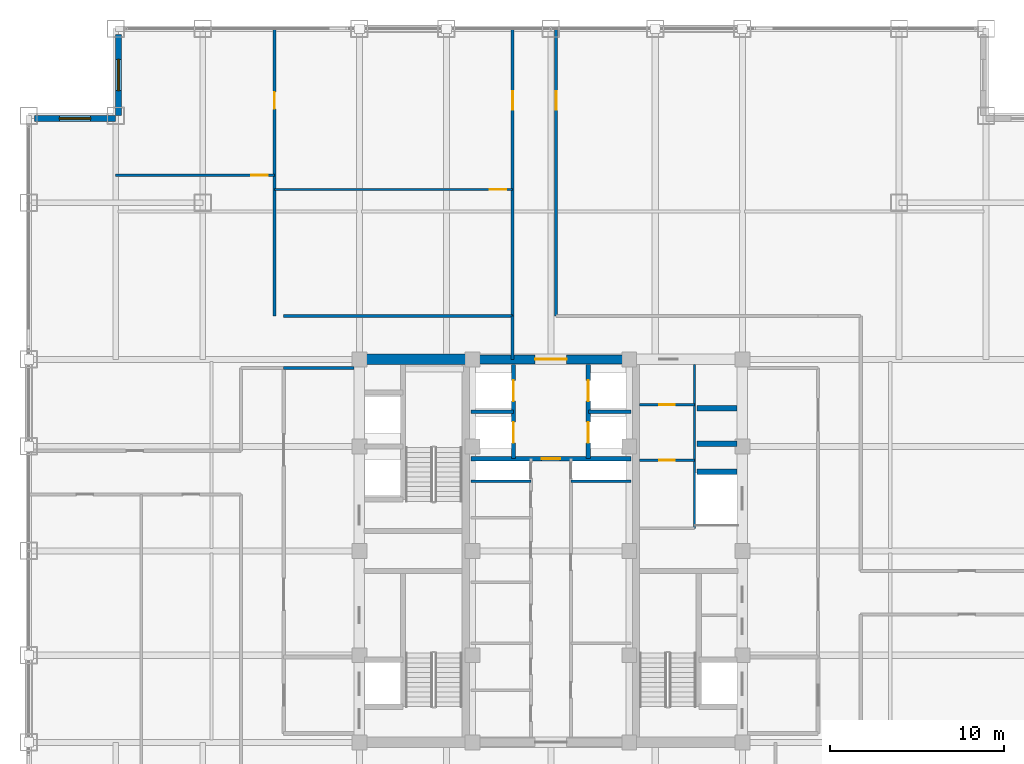
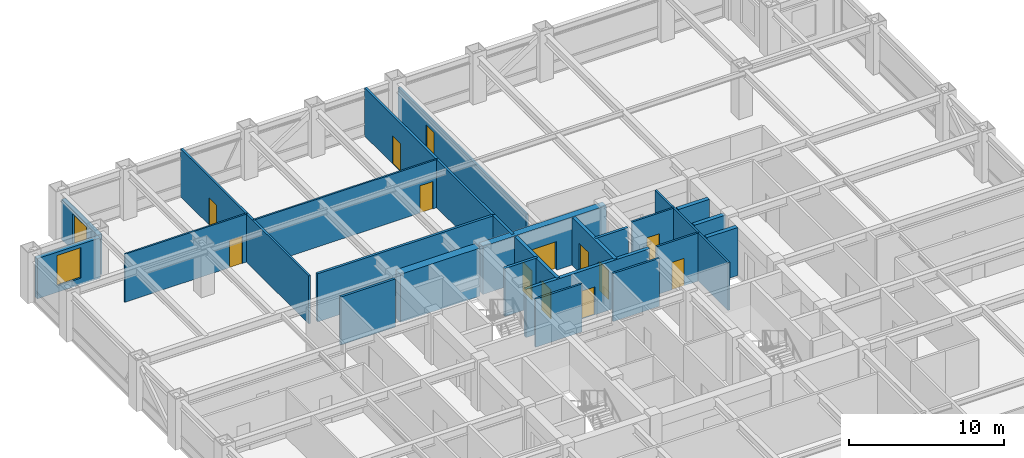
# One storey, part 22 of 24: 25 walls, 13 doors, 2 windows, 15 openings.
"""IFC4 building model written with IfcOpenShell, lengths in metres."""

from ifc_helpers import new_model, si_unit, direction, frame, frame_2d, origin, place, context, subcontext, project, spatial, rectangle, extrude, source, transform, mapped, material, layer, layer_set, type_object, element, fill, save


model = new_model("IFC4")

# Units and contexts
model_context = context("Model", 3, precision=1e-05, world=origin(), true_north=direction((0.0, 1.0)))
body_context = subcontext(model_context, "Body", "Model", "MODEL_VIEW")
ifc_project = project(units=[si_unit("LENGTHUNIT", "METRE"), si_unit("AREAUNIT", "SQUARE_METRE"), si_unit("VOLUMEUNIT", "CUBIC_METRE"), si_unit("PLANEANGLEUNIT", "RADIAN"), si_unit("MASSUNIT", "GRAM", prefix="KILO")], contexts=[model_context])

# Site, building, storey
site_placement = place(None, origin())
site = spatial("IfcSite", under=ifc_project, at=site_placement, CompositionType="ELEMENT")
building_placement = place(site_placement, origin())
building = spatial("IfcBuilding", under=site, at=building_placement, Name="Khorayat Bourse Tower", CompositionType="ELEMENT")
storey_placement = place(building_placement, frame((0.0, 0.0, 259.10009765625)))
storey = spatial("IfcBuildingStorey", under=building, at=storey_placement, Name="L61", CompositionType="ELEMENT", Elevation=259.10009765625)

# Wall, opening, door
ifc_material_1 = material(Name="Concrete C52/65", Category="concrete")
ifc_layer_1 = layer(ifc_material_1, 0.5)
ifc_layer_set_1 = layer_set([ifc_layer_1], Name="Concrete C52/65")
wall_type_1 = type_object("IfcWallType", Name="WAL-CORE-500", PredefinedType="SHEAR", material=ifc_layer_set_1)
shared_shape_1 = source(origin(), body_context, "Body", "SweptSolid", [
    extrude(rectangle(XDim=9.2001953125, YDim=0.5, at=frame_2d((4.60009765625, 0.0))), origin(), (0.0, 0.0, 1.0), 3.77978515625),
])
wall_1_placement = place(storey_placement, frame((-4.60009765625, 11.0, 0.0), z_axis=(0.0, 0.0, 1.0), x_axis=(1.0, 0.0, 0.0)))
wall_1 = element("IfcWall", 1, at=wall_1_placement, inside=storey, type_object=wall_type_1, Name="L61 Core Shear Wall CORE-N", PredefinedType="SHEAR", context=body_context, shape_type="MappedRepresentation", body=[
    mapped(shared_shape_1, transform((0.0, 0.0, 0.0), scale=1.0)),
])
shared_shape_2 = source(origin(), body_context, "Body", "SweptSolid", [
    extrude(rectangle(XDim=1.800048828125, YDim=2.25, at=frame_2d((0.89990234375, 1.125))), frame((0.0, 0.260009765625, 0.0), z_axis=(0.0, -1.0, 0.0), x_axis=(1.0, 0.0, 0.0)), (0.0, 0.0, 1.0), 0.52001953125),
])
opening_1_placement = place(wall_1_placement, frame((3.699951171875, 0.0, 0.0)))
opening_1 = element("IfcOpeningElement", 2, at=opening_1_placement, cuts=wall_1, Name="Opening DI-03", PredefinedType="OPENING", context=body_context, shape_type="MappedRepresentation", body=[
    mapped(shared_shape_2, transform((0.0, 0.0, 0.0), scale=1.0)),
])
ifc_material_2 = material(Name="Fire-rated hardwood vision-panel double leaf", Category="wood")
door_type_1 = type_object("IfcDoorType", Name="DR-INT-CORR-1800", OperationType="NOTDEFINED", PredefinedType="DOOR", material=ifc_material_2)
shared_shape_3 = source(origin(), body_context, "Body", "SweptSolid", [
    extrude(rectangle(XDim=1.800048828125, YDim=2.25, at=frame_2d((0.89990234375, 1.125))), frame((0.0, 0.02490234375, 0.0), z_axis=(0.0, -1.0, 0.0), x_axis=(1.0, 0.0, 0.0)), (0.0, 0.0, 1.0), 0.050048828125),
])
door_1_placement = place(opening_1_placement, origin())
door_1 = element("IfcDoor", 3, at=door_1_placement, inside=storey, type_object=door_type_1, Name="L61 Mid-Rise Lift Lobby Door", OperationType="SINGLE_SWING_RIGHT", OverallHeight=2.25, OverallWidth=1.800048828125, PredefinedType="DOOR", context=body_context, shape_type="MappedRepresentation", body=[
    mapped(shared_shape_3, transform((0.0, 0.0, 0.0), scale=1.0)),
])
fill(opening_1, door_1)

# Wall
ifc_material_3 = material(Name="Concrete C60/75", Category="concrete")
ifc_layer_2 = layer(ifc_material_3, 0.60009765625)
ifc_layer_set_2 = layer_set([ifc_layer_2], Name="Concrete C60/75")
wall_type_2 = type_object("IfcWallType", Name="WAL-CORE-600", PredefinedType="SHEAR", material=ifc_layer_set_2)
shared_shape_4 = source(origin(), body_context, "Body", "SweptSolid", [
    extrude(rectangle(XDim=5.89990234375, YDim=0.60009765625, at=frame_2d((2.949951171875, 0.0))), origin(), (0.0, 0.0, 1.0), 3.77978515625),
])
wall_2_placement = place(storey_placement, frame((-10.75, 11.0, 0.0), z_axis=(0.0, 0.0, 1.0), x_axis=(1.0, 0.0, 0.0)))
element("IfcWall", 4, at=wall_2_placement, inside=storey, type_object=wall_type_2, Name="L61 Core Shear Wall PIER-WN", PredefinedType="SHEAR", context=body_context, shape_type="MappedRepresentation", body=[
    mapped(shared_shape_4, transform((0.0, 0.0, 0.0), scale=1.0)),
])

# Wall, opening, window
ifc_material_4 = material(Name="Precast concrete C45/55", Category="concrete")
ifc_layer_3 = layer(ifc_material_4, 0.320068359375)
ifc_layer_set_3 = layer_set([ifc_layer_3], Name="Precast concrete C45/55")
wall_type_3 = type_object("IfcWallType", Name="WAL-EXT-STONE-320", PredefinedType="STANDARD", material=ifc_layer_set_3)
shared_shape_5 = source(origin(), body_context, "Body", "SweptSolid", [
    extrude(rectangle(XDim=4.679931640625, YDim=0.320068359375, at=frame_2d((2.33984375, 0.0))), origin(), (0.0, 0.0, 1.0), 3.163818359375),
])
wall_3_placement = place(storey_placement, frame((-24.840087890625, 25.0, 0.0), z_axis=(0.0, 0.0, 1.0), x_axis=(0.0, 1.0, 0.0)))
wall_3 = element("IfcWall", 5, at=wall_3_placement, inside=storey, type_object=wall_type_3, Name="L61 Re-Entrant Notch Limestone Wall NW-V", PredefinedType="STANDARD", context=body_context, shape_type="MappedRepresentation", body=[
    mapped(shared_shape_5, transform((0.0, 0.0, 0.0), scale=1.0)),
])
shared_shape_6 = source(origin(), body_context, "Body", "SweptSolid", [
    extrude(rectangle(XDim=1.800048828125, YDim=2.39990234375, at=frame_2d((0.89990234375, 1.199951171875))), frame((0.0, 0.169921875, 0.0), z_axis=(0.0, -1.0, 0.0), x_axis=(1.0, 0.0, 0.0)), (0.0, 0.0, 1.0), 0.340087890625),
])
opening_2_placement = place(wall_3_placement, frame((1.43994140625, 0.0, 0.5)))
opening_2 = element("IfcOpeningElement", 6, at=opening_2_placement, cuts=wall_3, Name="Opening WN-04", PredefinedType="OPENING", context=body_context, shape_type="MappedRepresentation", body=[
    mapped(shared_shape_6, transform((0.0, 0.0, 0.0), scale=1.0)),
])
ifc_material_5 = material(Name="Low-E acoustic laminated double glazing", Category="glass")
window_type = type_object("IfcWindowType", Name="WIN-NOTCH-1800x2400", PartitioningType="SINGLE_PANEL", PredefinedType="WINDOW", material=ifc_material_5)
shared_shape_7 = source(origin(), body_context, "Body", "SweptSolid", [
    extrude(rectangle(XDim=1.800048828125, YDim=2.39990234375, at=frame_2d((0.89990234375, 1.199951171875))), frame((0.0, 0.030029296875, 0.0), z_axis=(0.0, -1.0, 0.0), x_axis=(1.0, 0.0, 0.0)), (0.0, 0.0, 1.0), 0.06005859375),
])
window_1_placement = place(opening_2_placement, origin())
window_1 = element("IfcWindow", 7, at=window_1_placement, inside=storey, type_object=window_type, Name="L61 Facade Window 1", OverallHeight=2.39990234375, OverallWidth=1.800048828125, PartitioningType="SINGLE_PANEL", PredefinedType="WINDOW", context=body_context, shape_type="MappedRepresentation", body=[
    mapped(shared_shape_7, transform((0.0, 0.0, 0.0), scale=1.0)),
])
fill(opening_2, window_1)

wall_4_placement = place(storey_placement, frame((-25.0, 24.840087890625, 0.0), z_axis=(0.0, 0.0, 1.0), x_axis=(-1.0, 0.0, 0.0)))
wall_4 = element("IfcWall", 8, at=wall_4_placement, inside=storey, type_object=wall_type_3, Name="L61 Re-Entrant Notch Limestone Wall NW-H", PredefinedType="STANDARD", context=body_context, shape_type="MappedRepresentation", body=[
    mapped(shared_shape_5, transform((0.0, 0.0, 0.0), scale=1.0)),
])
opening_3_placement = place(wall_4_placement, frame((1.43994140625, 0.0, 0.5)))
opening_3 = element("IfcOpeningElement", 9, at=opening_3_placement, cuts=wall_4, Name="Opening WN-04", PredefinedType="OPENING", context=body_context, shape_type="MappedRepresentation", body=[
    mapped(shared_shape_6, transform((0.0, 0.0, 0.0), scale=1.0)),
])
window_2_placement = place(opening_3_placement, origin())
window_2 = element("IfcWindow", 10, at=window_2_placement, inside=storey, type_object=window_type, Name="L61 Facade Window 1", OverallHeight=2.39990234375, OverallWidth=1.800048828125, PartitioningType="SINGLE_PANEL", PredefinedType="WINDOW", context=body_context, shape_type="MappedRepresentation", body=[
    mapped(shared_shape_7, transform((0.0, 0.0, 0.0), scale=1.0)),
])
fill(opening_3, window_2)

# Walls
ifc_material_6 = material(Name="Concrete C50/60", Category="concrete")
ifc_layer_4 = layer(ifc_material_6, 0.300048828125)
ifc_layer_set_4 = layer_set([ifc_layer_4], Name="Concrete C50/60")
wall_type_4 = type_object("IfcWallType", Name="WAL-SHAFT-300", PredefinedType="SHEAR", material=ifc_layer_set_4)
shared_shape_8 = source(origin(), body_context, "Body", "SweptSolid", [
    extrude(rectangle(XDim=2.300048828125, YDim=0.300048828125, at=frame_2d((1.14990234375, 0.0))), origin(), (0.0, 0.0, 1.0), 3.77978515625),
])
for number, where, z_axis, x_axis, name in (
    (11, (8.39990234375, 4.550048828125, 0.0), (0.0, 0.0, 1.0), (1.0, 0.0, 0.0), "L61 Partition WAL-L61-EPIER-SVLN"),
    (12, (8.39990234375, 6.14990234375, 0.0), (0.0, 0.0, 1.0), (1.0, 0.0, 0.0), "L61 Partition WAL-L61-EPIER-H3S"),
    (13, (8.39990234375, 8.199951171875, 0.0), (0.0, 0.0, 1.0), (1.0, 0.0, 0.0), "L61 Partition WAL-L61-EPIER-H34"),
):
    element("IfcWall", number, at=place(storey_placement, frame(where, z_axis=z_axis, x_axis=x_axis)), inside=storey, type_object=wall_type_4, Name=name, PredefinedType="SHEAR", context=body_context, shape_type="MappedRepresentation", body=[
        mapped(shared_shape_8, transform((0.0, 0.0, 0.0), scale=1.0)),
    ])
ifc_material_7 = material(Name="Moisture-resistant masonry partition", Category="masonry")
ifc_layer_5 = layer(ifc_material_7, 0.139892578125)
ifc_layer_set_5 = layer_set([ifc_layer_5], Name="Moisture-resistant masonry partition")
wall_type_5 = type_object("IfcWallType", Name="WAL-PART-WET-140", PredefinedType="PARTITIONING", material=ifc_layer_set_5)
shared_shape_9 = source(origin(), body_context, "Body", "SweptSolid", [
    extrude(rectangle(XDim=9.39990234375, YDim=0.139892578125, at=frame_2d((4.699951171875, 0.0))), origin(), (0.0, 0.0, 1.0), 3.77978515625),
])
wall_5_placement = place(storey_placement, frame((8.25, 1.300048828125, 0.0), z_axis=(0.0, 0.0, 1.0), x_axis=(0.0, 1.0, 0.0)))
element("IfcWall", 14, at=wall_5_placement, inside=storey, type_object=wall_type_5, Name="L61 Partition WAL-L61-ECORE-E", PredefinedType="PARTITIONING", context=body_context, shape_type="MappedRepresentation", body=[
    mapped(shared_shape_9, transform((0.0, 0.0, 0.0), scale=1.0)),
])

# Wall, opening, door
shared_shape_10 = source(origin(), body_context, "Body", "SweptSolid", [
    extrude(rectangle(XDim=3.14990234375, YDim=0.139892578125, at=frame_2d((1.574951171875, 0.0))), origin(), (0.0, 0.0, 1.0), 3.77978515625),
])
wall_6_placement = place(storey_placement, frame((5.10009765625, 8.39990234375, 0.0), z_axis=(0.0, 0.0, 1.0), x_axis=(1.0, 0.0, 0.0)))
wall_6 = element("IfcWall", 15, at=wall_6_placement, inside=storey, type_object=wall_type_5, Name="L61 Partition WAL-L61-ECW-TOP", PredefinedType="PARTITIONING", context=body_context, shape_type="MappedRepresentation", body=[
    mapped(shared_shape_10, transform((0.0, 0.0, 0.0), scale=1.0)),
])
shared_shape_11 = source(origin(), body_context, "Body", "SweptSolid", [
    extrude(rectangle(XDim=0.89990234375, YDim=2.14990234375, at=frame_2d((0.449951171875, 1.074951171875))), frame((0.0, 0.079833984375, 0.0), z_axis=(0.0, -1.0, 0.0), x_axis=(1.0, 0.0, 0.0)), (0.0, 0.0, 1.0), 0.159912109375),
])
opening_4_placement = place(wall_6_placement, frame((1.1298828125, 0.0, 0.0)))
opening_4 = element("IfcOpeningElement", 16, at=opening_4_placement, cuts=wall_6, Name="Opening DI-06", PredefinedType="OPENING", context=body_context, shape_type="MappedRepresentation", body=[
    mapped(shared_shape_11, transform((0.0, 0.0, 0.0), scale=1.0)),
])
ifc_material_8 = material(Name="Moisture-resistant laminate washroom door")
door_type_2 = type_object("IfcDoorType", Name="DR-INT-WC-900", OperationType="NOTDEFINED", PredefinedType="DOOR", material=ifc_material_8)
shared_shape_12 = source(origin(), body_context, "Body", "SweptSolid", [
    extrude(rectangle(XDim=0.89990234375, YDim=2.14990234375, at=frame_2d((0.449951171875, 1.074951171875))), frame((0.0, 0.02490234375, 0.0), z_axis=(0.0, -1.0, 0.0), x_axis=(1.0, 0.0, 0.0)), (0.0, 0.0, 1.0), 0.050048828125),
])
door_2_placement = place(opening_4_placement, origin())
door_2 = element("IfcDoor", 17, at=door_2_placement, inside=storey, type_object=door_type_2, Name="L61 Accessible WC Door", OperationType="SINGLE_SWING_LEFT", OverallHeight=2.14990234375, OverallWidth=0.89990234375, PredefinedType="DOOR", context=body_context, shape_type="MappedRepresentation", body=[
    mapped(shared_shape_12, transform((0.0, 0.0, 0.0), scale=1.0)),
])
fill(opening_4, door_2)

wall_7_placement = place(storey_placement, frame((5.10009765625, 5.199951171875, 0.0), z_axis=(0.0, 0.0, 1.0), x_axis=(1.0, 0.0, 0.0)))
wall_7 = element("IfcWall", 18, at=wall_7_placement, inside=storey, type_object=wall_type_5, Name="L61 Partition WAL-L61-ECW-HZ", PredefinedType="PARTITIONING", context=body_context, shape_type="MappedRepresentation", body=[
    mapped(shared_shape_10, transform((0.0, 0.0, 0.0), scale=1.0)),
])
opening_5_placement = place(wall_7_placement, frame((1.1298828125, 0.0, 0.0)))
opening_5 = element("IfcOpeningElement", 19, at=opening_5_placement, cuts=wall_7, Name="Opening DI-06", PredefinedType="OPENING", context=body_context, shape_type="MappedRepresentation", body=[
    mapped(shared_shape_11, transform((0.0, 0.0, 0.0), scale=1.0)),
])
door_3_placement = place(opening_5_placement, origin())
door_3 = element("IfcDoor", 20, at=door_3_placement, inside=storey, type_object=door_type_2, Name="L61 Shared Washroom Door", OperationType="SINGLE_SWING_RIGHT", OverallHeight=2.14990234375, OverallWidth=0.89990234375, PredefinedType="DOOR", context=body_context, shape_type="MappedRepresentation", body=[
    mapped(shared_shape_12, transform((0.0, 0.0, 0.0), scale=1.0)),
])
fill(opening_5, door_3)

# Walls
ifc_material_9 = material(Name="Gypsum plasterboard acoustic stud wall")
ifc_layer_6 = layer(ifc_material_9, 0.179931640625)
ifc_layer_set_6 = layer_set([ifc_layer_6], Name="Gypsum plasterboard acoustic stud wall")
wall_type_6 = type_object("IfcWallType", Name="WAL-PART-CORR-180", PredefinedType="PARTITIONING", material=ifc_layer_set_6)
shared_shape_13 = source(origin(), body_context, "Body", "SweptSolid", [
    extrude(rectangle(XDim=4.050048828125, YDim=0.179931640625, at=frame_2d((2.02490234375, 0.0))), origin(), (0.0, 0.0, 1.0), 3.77978515625),
])
wall_8_placement = place(storey_placement, frame((-15.35009765625, 10.5, 0.0), z_axis=(0.0, 0.0, 1.0), x_axis=(1.0, 0.0, 0.0)))
element("IfcWall", 21, at=wall_8_placement, inside=storey, type_object=wall_type_6, Name="L61 Partition WAL-L61-WLOB-N", PredefinedType="PARTITIONING", context=body_context, shape_type="MappedRepresentation", body=[
    mapped(shared_shape_13, transform((0.0, 0.0, 0.0), scale=1.0)),
])
ifc_material_10 = material(Name="Gypsum plasterboard twin-frame partition")
ifc_layer_7 = layer(ifc_material_10, 0.14990234375)
ifc_layer_set_7 = layer_set([ifc_layer_7], Name="Gypsum plasterboard twin-frame partition")
wall_type_7 = type_object("IfcWallType", Name="WAL-PART-SUITE-150", PredefinedType="PARTITIONING", material=ifc_layer_set_7)
shared_shape_14 = source(origin(), body_context, "Body", "SweptSolid", [
    extrude(rectangle(XDim=3.4501953125, YDim=0.14990234375, at=frame_2d((1.72509765625, 0.0))), origin(), (0.0, 0.0, 1.0), 3.77978515625),
])
for number, where, z_axis, x_axis, name in (
    (22, (-4.60009765625, 4.0, 0.0), (0.0, 0.0, 1.0), (1.0, 0.0, 0.0), "L61 Partition WAL-L61-CRSW-S"),
    (23, (1.14990234375, 4.0, 0.0), (0.0, 0.0, 1.0), (1.0, 0.0, 0.0), "L61 Partition WAL-L61-CRSE-S"),
):
    element("IfcWall", number, at=place(storey_placement, frame(where, z_axis=z_axis, x_axis=x_axis)), inside=storey, type_object=wall_type_7, Name=name, PredefinedType="PARTITIONING", context=body_context, shape_type="MappedRepresentation", body=[
        mapped(shared_shape_14, transform((0.0, 0.0, 0.0), scale=1.0)),
    ])

# Wall, openings, doors
shared_shape_15 = source(origin(), body_context, "Body", "SweptSolid", [
    extrude(rectangle(XDim=5.39990234375, YDim=0.25, at=frame_2d((2.699951171875, 0.0))), origin(), (0.0, 0.0, 1.0), 3.77978515625),
])
wall_9_placement = place(storey_placement, frame((-2.14990234375, 5.300048828125, 0.0), z_axis=(0.0, 0.0, 1.0), x_axis=(0.0, 1.0, 0.0)))
wall_9 = element("IfcWall", 24, at=wall_9_placement, inside=storey, type_object=wall_type_4, Name="L61 Partition WAL-L61-B2-W", PredefinedType="SHEAR", context=body_context, shape_type="MappedRepresentation", body=[
    mapped(shared_shape_15, transform((0.0, 0.0, 0.0), scale=1.0)),
])
shared_shape_16 = source(origin(), body_context, "Body", "SweptSolid", [
    extrude(rectangle(XDim=1.199951171875, YDim=2.300048828125, at=frame_2d((0.60009765625, 1.14990234375))), frame((0.0, 0.135009765625, 0.0), z_axis=(0.0, -1.0, 0.0), x_axis=(1.0, 0.0, 0.0)), (0.0, 0.0, 1.0), 0.27001953125),
])
opening_6_placement = place(wall_9_placement, frame((3.300048828125, 0.0, 0.0)))
opening_6 = element("IfcOpeningElement", 25, at=opening_6_placement, cuts=wall_9, Name="Opening LD-01", PredefinedType="OPENING", context=body_context, shape_type="MappedRepresentation", body=[
    mapped(shared_shape_16, transform((0.0, 0.0, 0.0), scale=1.0)),
])
opening_7_placement = place(wall_9_placement, frame((0.89990234375, 0.0, 0.0)))
opening_7 = element("IfcOpeningElement", 26, at=opening_7_placement, cuts=wall_9, Name="Opening LD-01", PredefinedType="OPENING", context=body_context, shape_type="MappedRepresentation", body=[
    mapped(shared_shape_16, transform((0.0, 0.0, 0.0), scale=1.0)),
])
ifc_material_11 = material(Name="Brushed bronze stainless-steel sliding door", Category="steel")
door_type_3 = type_object("IfcDoorType", Name="DR-LIFT-PASS-1200", OperationType="NOTDEFINED", PredefinedType="DOOR", material=ifc_material_11)
shared_shape_17 = source(origin(), body_context, "Body", "SweptSolid", [
    extrude(rectangle(XDim=1.199951171875, YDim=2.300048828125, at=frame_2d((0.60009765625, 1.14990234375))), frame((0.0, 0.02490234375, 0.0), z_axis=(0.0, -1.0, 0.0), x_axis=(1.0, 0.0, 0.0)), (0.0, 0.0, 1.0), 0.050048828125),
])
door_4_placement = place(opening_6_placement, origin())
door_4 = element("IfcDoor", 27, at=door_4_placement, inside=storey, type_object=door_type_3, Name="L61 Lift PL-M1 Sliding Landing Door", OperationType="SLIDING_TO_LEFT", OverallHeight=2.300048828125, OverallWidth=1.199951171875, PredefinedType="DOOR", context=body_context, shape_type="MappedRepresentation", body=[
    mapped(shared_shape_17, transform((0.0, 0.0, 0.0), scale=1.0)),
])
fill(opening_6, door_4)
door_5_placement = place(opening_7_placement, origin())
door_5 = element("IfcDoor", 28, at=door_5_placement, inside=storey, type_object=door_type_3, Name="L61 Lift PL-M3 Sliding Landing Door", OperationType="SLIDING_TO_LEFT", OverallHeight=2.300048828125, OverallWidth=1.199951171875, PredefinedType="DOOR", context=body_context, shape_type="MappedRepresentation", body=[
    mapped(shared_shape_17, transform((0.0, 0.0, 0.0), scale=1.0)),
])
fill(opening_7, door_5)

wall_10_placement = place(storey_placement, frame((2.14990234375, 5.300048828125, 0.0), z_axis=(0.0, 0.0, 1.0), x_axis=(0.0, 1.0, 0.0)))
wall_10 = element("IfcWall", 29, at=wall_10_placement, inside=storey, type_object=wall_type_4, Name="L61 Partition WAL-L61-B2-E", PredefinedType="SHEAR", context=body_context, shape_type="MappedRepresentation", body=[
    mapped(shared_shape_15, transform((0.0, 0.0, 0.0), scale=1.0)),
])
opening_8_placement = place(wall_10_placement, frame((3.300048828125, 0.0, 0.0)))
opening_8 = element("IfcOpeningElement", 30, at=opening_8_placement, cuts=wall_10, Name="Opening LD-01", PredefinedType="OPENING", context=body_context, shape_type="MappedRepresentation", body=[
    mapped(shared_shape_16, transform((0.0, 0.0, 0.0), scale=1.0)),
])
opening_9_placement = place(wall_10_placement, frame((0.89990234375, 0.0, 0.0)))
opening_9 = element("IfcOpeningElement", 31, at=opening_9_placement, cuts=wall_10, Name="Opening LD-01", PredefinedType="OPENING", context=body_context, shape_type="MappedRepresentation", body=[
    mapped(shared_shape_16, transform((0.0, 0.0, 0.0), scale=1.0)),
])
door_6_placement = place(opening_8_placement, origin())
door_6 = element("IfcDoor", 32, at=door_6_placement, inside=storey, type_object=door_type_3, Name="L61 Lift PL-M2 Sliding Landing Door", OperationType="SLIDING_TO_LEFT", OverallHeight=2.300048828125, OverallWidth=1.199951171875, PredefinedType="DOOR", context=body_context, shape_type="MappedRepresentation", body=[
    mapped(shared_shape_17, transform((0.0, 0.0, 0.0), scale=1.0)),
])
fill(opening_8, door_6)
door_7_placement = place(opening_9_placement, origin())
door_7 = element("IfcDoor", 33, at=door_7_placement, inside=storey, type_object=door_type_3, Name="L61 Lift PL-M4 Sliding Landing Door", OperationType="SLIDING_TO_LEFT", OverallHeight=2.300048828125, OverallWidth=1.199951171875, PredefinedType="DOOR", context=body_context, shape_type="MappedRepresentation", body=[
    mapped(shared_shape_17, transform((0.0, 0.0, 0.0), scale=1.0)),
])
fill(opening_9, door_7)

# Walls
shared_shape_18 = source(origin(), body_context, "Body", "SweptSolid", [
    extrude(rectangle(XDim=2.4501953125, YDim=0.199951171875, at=frame_2d((1.22509765625, 0.0))), origin(), (0.0, 0.0, 1.0), 3.77978515625),
])
for number, where, z_axis, x_axis, name in (
    (34, (-4.60009765625, 8.0, 0.0), (0.0, 0.0, 1.0), (1.0, 0.0, 0.0), "L61 Partition WAL-L61-B2-MW"),
    (35, (2.14990234375, 8.0, 0.0), (0.0, 0.0, 1.0), (1.0, 0.0, 0.0), "L61 Partition WAL-L61-B2-ME"),
):
    element("IfcWall", number, at=place(storey_placement, frame(where, z_axis=z_axis, x_axis=x_axis)), inside=storey, type_object=wall_type_4, Name=name, PredefinedType="SHEAR", context=body_context, shape_type="MappedRepresentation", body=[
        mapped(shared_shape_18, transform((0.0, 0.0, 0.0), scale=1.0)),
    ])

# Wall, opening, door
shared_shape_19 = source(origin(), body_context, "Body", "SweptSolid", [
    extrude(rectangle(XDim=9.2001953125, YDim=0.25, at=frame_2d((4.60009765625, 0.0))), origin(), (0.0, 0.0, 1.0), 3.77978515625),
])
wall_11_placement = place(storey_placement, frame((-4.60009765625, 5.300048828125, 0.0), z_axis=(0.0, 0.0, 1.0), x_axis=(1.0, 0.0, 0.0)))
wall_11 = element("IfcWall", 36, at=wall_11_placement, inside=storey, type_object=wall_type_4, Name="L61 Partition WAL-L61-B2-S", PredefinedType="SHEAR", context=body_context, shape_type="MappedRepresentation", body=[
    mapped(shared_shape_19, transform((0.0, 0.0, 0.0), scale=1.0)),
])
shared_shape_20 = source(origin(), body_context, "Body", "SweptSolid", [
    extrude(rectangle(XDim=1.050048828125, YDim=2.199951171875, at=frame_2d((0.52490234375, 1.10009765625))), frame((0.0, 0.135009765625, 0.0), z_axis=(0.0, -1.0, 0.0), x_axis=(1.0, 0.0, 0.0)), (0.0, 0.0, 1.0), 0.27001953125),
])
opening_10_placement = place(wall_11_placement, frame((4.074951171875, 0.0, 0.0)))
opening_10 = element("IfcOpeningElement", 37, at=opening_10_placement, cuts=wall_11, Name="Opening DI-04", PredefinedType="OPENING", context=body_context, shape_type="MappedRepresentation", body=[
    mapped(shared_shape_20, transform((0.0, 0.0, 0.0), scale=1.0)),
])
ifc_material_12 = material(Name="Fire-rated oak veneer suite entrance door")
door_type_4 = type_object("IfcDoorType", Name="DR-INT-SUITE-1050", OperationType="NOTDEFINED", PredefinedType="DOOR", material=ifc_material_12)
shared_shape_21 = source(origin(), body_context, "Body", "SweptSolid", [
    extrude(rectangle(XDim=1.050048828125, YDim=2.199951171875, at=frame_2d((0.52490234375, 1.10009765625))), frame((0.0, 0.02490234375, 0.0), z_axis=(0.0, -1.0, 0.0), x_axis=(1.0, 0.0, 0.0)), (0.0, 0.0, 1.0), 0.050048828125),
])
door_8_placement = place(opening_10_placement, origin())
door_8 = element("IfcDoor", 38, at=door_8_placement, inside=storey, type_object=door_type_4, Name="L61 Core Spine North Door", OperationType="SINGLE_SWING_RIGHT", OverallHeight=2.199951171875, OverallWidth=1.050048828125, PredefinedType="DOOR", context=body_context, shape_type="MappedRepresentation", body=[
    mapped(shared_shape_21, transform((0.0, 0.0, 0.0), scale=1.0)),
])
fill(opening_10, door_8)

# Wall
shared_shape_22 = source(origin(), body_context, "Body", "SweptSolid", [
    extrude(rectangle(XDim=2.5, YDim=0.179931640625, at=frame_2d((1.25, 0.0))), origin(), (0.0, 0.0, 1.0), 3.77978515625),
])
wall_12_placement = place(storey_placement, frame((-2.199951171875, 11.0, 0.0), z_axis=(0.0, 0.0, 1.0), x_axis=(0.0, 1.0, 0.0)))
element("IfcWall", 39, at=wall_12_placement, inside=storey, type_object=wall_type_6, Name="L61 Partition WAL-L61-C2-NCW", PredefinedType="PARTITIONING", context=body_context, shape_type="MappedRepresentation", body=[
    mapped(shared_shape_22, transform((0.0, 0.0, 0.0), scale=1.0)),
])

# Wall, opening, door
shared_shape_23 = source(origin(), body_context, "Body", "SweptSolid", [
    extrude(rectangle(XDim=16.5, YDim=0.179931640625, at=frame_2d((8.25, 0.0))), origin(), (0.0, 0.0, 1.0), 3.77978515625),
])
wall_13_placement = place(storey_placement, frame((-2.199951171875, 13.5, 0.0), z_axis=(0.0, 0.0, 1.0), x_axis=(0.0, 1.0, 0.0)))
wall_13 = element("IfcWall", 40, at=wall_13_placement, inside=storey, type_object=wall_type_6, Name="L61 Partition WAL-L61-QNW-SPK", PredefinedType="PARTITIONING", context=body_context, shape_type="MappedRepresentation", body=[
    mapped(shared_shape_23, transform((0.0, 0.0, 0.0), scale=1.0)),
])
shared_shape_24 = source(origin(), body_context, "Body", "SweptSolid", [
    extrude(rectangle(XDim=1.050048828125, YDim=2.199951171875, at=frame_2d((0.52490234375, 1.10009765625))), frame((0.0, 0.099853515625, 0.0), z_axis=(0.0, -1.0, 0.0), x_axis=(1.0, 0.0, 0.0)), (0.0, 0.0, 1.0), 0.199951171875),
])
opening_11_placement = place(wall_13_placement, frame((11.85009765625, 0.0, 0.0)))
opening_11 = element("IfcOpeningElement", 41, at=opening_11_placement, cuts=wall_13, Name="Opening DI-04", PredefinedType="OPENING", context=body_context, shape_type="MappedRepresentation", body=[
    mapped(shared_shape_24, transform((0.0, 0.0, 0.0), scale=1.0)),
])
door_9_placement = place(opening_11_placement, origin())
door_9 = element("IfcDoor", 42, at=door_9_placement, inside=storey, type_object=door_type_4, Name="L61 North-West Radial Spoke Entry", OperationType="SINGLE_SWING_LEFT", OverallHeight=2.199951171875, OverallWidth=1.050048828125, PredefinedType="DOOR", context=body_context, shape_type="MappedRepresentation", body=[
    mapped(shared_shape_21, transform((0.0, 0.0, 0.0), scale=1.0)),
])
fill(opening_11, door_9)

shared_shape_25 = source(origin(), body_context, "Body", "SweptSolid", [
    extrude(rectangle(XDim=16.5, YDim=0.14990234375, at=frame_2d((8.25, 0.0))), origin(), (0.0, 0.0, 1.0), 3.77978515625),
])
wall_14_placement = place(storey_placement, frame((-15.8798828125, 13.5, 0.0), z_axis=(0.0, 0.0, 1.0), x_axis=(0.0, 1.0, 0.0)))
wall_14 = element("IfcWall", 43, at=wall_14_placement, inside=storey, type_object=wall_type_7, Name="L61 Partition WAL-L61-QNWDV-1", PredefinedType="PARTITIONING", context=body_context, shape_type="MappedRepresentation", body=[
    mapped(shared_shape_25, transform((0.0, 0.0, 0.0), scale=1.0)),
])
shared_shape_26 = source(origin(), body_context, "Body", "SweptSolid", [
    extrude(rectangle(XDim=0.949951171875, YDim=2.14990234375, at=frame_2d((0.47509765625, 1.074951171875))), frame((0.0, 0.0849609375, 0.0), z_axis=(0.0, -1.0, 0.0), x_axis=(1.0, 0.0, 0.0)), (0.0, 0.0, 1.0), 0.169921875),
])
opening_12_placement = place(wall_14_placement, frame((11.89990234375, 0.0, 0.0)))
opening_12 = element("IfcOpeningElement", 44, at=opening_12_placement, cuts=wall_14, Name="Opening DI-05", PredefinedType="OPENING", context=body_context, shape_type="MappedRepresentation", body=[
    mapped(shared_shape_26, transform((0.0, 0.0, 0.0), scale=1.0)),
])
ifc_material_13 = material(Name="Acoustic oak veneer office door")
door_type_5 = type_object("IfcDoorType", Name="DR-INT-OFFICE-950", OperationType="NOTDEFINED", PredefinedType="DOOR", material=ifc_material_13)
shared_shape_27 = source(origin(), body_context, "Body", "SweptSolid", [
    extrude(rectangle(XDim=0.949951171875, YDim=2.14990234375, at=frame_2d((0.47509765625, 1.074951171875))), frame((0.0, 0.02490234375, 0.0), z_axis=(0.0, -1.0, 0.0), x_axis=(1.0, 0.0, 0.0)), (0.0, 0.0, 1.0), 0.050048828125),
])
door_10_placement = place(opening_12_placement, origin())
door_10 = element("IfcDoor", 45, at=door_10_placement, inside=storey, type_object=door_type_5, Name="L61 North-West Suite Link 1", OperationType="SINGLE_SWING_RIGHT", OverallHeight=2.14990234375, OverallWidth=0.949951171875, PredefinedType="DOOR", context=body_context, shape_type="MappedRepresentation", body=[
    mapped(shared_shape_27, transform((0.0, 0.0, 0.0), scale=1.0)),
])
fill(opening_12, door_10)

# Wall
shared_shape_28 = source(origin(), body_context, "Body", "SweptSolid", [
    extrude(rectangle(XDim=13.150146484375, YDim=0.179931640625, at=frame_2d((6.5751953125, 0.0))), origin(), (0.0, 0.0, 1.0), 3.77978515625),
])
wall_15_placement = place(storey_placement, frame((-15.35009765625, 13.5, 0.0), z_axis=(0.0, 0.0, 1.0), x_axis=(1.0, 0.0, 0.0)))
element("IfcWall", 46, at=wall_15_placement, inside=storey, type_object=wall_type_6, Name="L61 Partition WAL-L61-QNW-HC", PredefinedType="PARTITIONING", context=body_context, shape_type="MappedRepresentation", body=[
    mapped(shared_shape_28, transform((0.0, 0.0, 0.0), scale=1.0)),
])

# Wall, opening, door
ifc_material_14 = material(Name="Gypsum plasterboard partition")
ifc_layer_8 = layer(ifc_material_14, 0.125)
ifc_layer_set_8 = layer_set([ifc_layer_8], Name="Gypsum plasterboard partition")
wall_type_8 = type_object("IfcWallType", Name="WAL-PART-ROOM-125", PredefinedType="PARTITIONING", material=ifc_layer_set_8)
shared_shape_29 = source(origin(), body_context, "Body", "SweptSolid", [
    extrude(rectangle(XDim=9.1201171875, YDim=0.125, at=frame_2d((4.56005859375, 0.0))), origin(), (0.0, 0.0, 1.0), 3.77978515625),
])
wall_16_placement = place(storey_placement, frame((-25.0, 21.5849609375, 0.0), z_axis=(0.0, 0.0, 1.0), x_axis=(1.0, 0.0, 0.0)))
wall_16 = element("IfcWall", 47, at=wall_16_placement, inside=storey, type_object=wall_type_8, Name="L61 Partition WAL-L61-QNWDP-1", PredefinedType="PARTITIONING", context=body_context, shape_type="MappedRepresentation", body=[
    mapped(shared_shape_29, transform((0.0, 0.0, 0.0), scale=1.0)),
])
shared_shape_30 = source(origin(), body_context, "Body", "SweptSolid", [
    extrude(rectangle(XDim=0.949951171875, YDim=2.14990234375, at=frame_2d((0.47509765625, 1.074951171875))), frame((0.0, 0.072509765625, 0.0), z_axis=(0.0, -1.0, 0.0), x_axis=(1.0, 0.0, 0.0)), (0.0, 0.0, 1.0), 0.14501953125),
])
opening_13_placement = place(wall_16_placement, frame((7.794921875, 0.0, 0.0)))
opening_13 = element("IfcOpeningElement", 48, at=opening_13_placement, cuts=wall_16, Name="Opening DI-05", PredefinedType="OPENING", context=body_context, shape_type="MappedRepresentation", body=[
    mapped(shared_shape_30, transform((0.0, 0.0, 0.0), scale=1.0)),
])
door_11_placement = place(opening_13_placement, origin())
door_11 = element("IfcDoor", 49, at=door_11_placement, inside=storey, type_object=door_type_5, Name="L61 North-West Floor Reception Concierge 1B Door", OperationType="SINGLE_SWING_RIGHT", OverallHeight=2.14990234375, OverallWidth=0.949951171875, PredefinedType="DOOR", context=body_context, shape_type="MappedRepresentation", body=[
    mapped(shared_shape_27, transform((0.0, 0.0, 0.0), scale=1.0)),
])
fill(opening_13, door_11)

shared_shape_31 = source(origin(), body_context, "Body", "SweptSolid", [
    extrude(rectangle(XDim=13.679931640625, YDim=0.125, at=frame_2d((6.83984375, 0.0))), origin(), (0.0, 0.0, 1.0), 3.77978515625),
])
wall_17_placement = place(storey_placement, frame((-15.8798828125, 20.760009765625, 0.0), z_axis=(0.0, 0.0, 1.0), x_axis=(1.0, 0.0, 0.0)))
wall_17 = element("IfcWall", 50, at=wall_17_placement, inside=storey, type_object=wall_type_8, Name="L61 Partition WAL-L61-QNWDP-2", PredefinedType="PARTITIONING", context=body_context, shape_type="MappedRepresentation", body=[
    mapped(shared_shape_31, transform((0.0, 0.0, 0.0), scale=1.0)),
])
opening_14_placement = place(wall_17_placement, frame((12.35498046875, 0.0, 0.0)))
opening_14 = element("IfcOpeningElement", 51, at=opening_14_placement, cuts=wall_17, Name="Opening DI-05", PredefinedType="OPENING", context=body_context, shape_type="MappedRepresentation", body=[
    mapped(shared_shape_30, transform((0.0, 0.0, 0.0), scale=1.0)),
])
door_12_placement = place(opening_14_placement, origin())
door_12 = element("IfcDoor", 52, at=door_12_placement, inside=storey, type_object=door_type_5, Name="L61 North-West Staff Tea Pantry 2B Door", OperationType="SINGLE_SWING_LEFT", OverallHeight=2.14990234375, OverallWidth=0.949951171875, PredefinedType="DOOR", context=body_context, shape_type="MappedRepresentation", body=[
    mapped(shared_shape_27, transform((0.0, 0.0, 0.0), scale=1.0)),
])
fill(opening_14, door_12)

shared_shape_32 = source(origin(), body_context, "Body", "SweptSolid", [
    extrude(rectangle(XDim=16.5, YDim=0.179931640625, at=frame_2d((8.25, 0.0))), origin(), (0.0, 0.0, 1.0), 2.96484375),
])
wall_18_placement = place(storey_placement, frame((0.300048828125, 13.5, 0.0), z_axis=(0.0, 0.0, 1.0), x_axis=(0.0, 1.0, 0.0)))
wall_18 = element("IfcWall", 53, at=wall_18_placement, inside=storey, type_object=wall_type_6, Name="L61 Partition WAL-L61-QNE-SPK", PredefinedType="PARTITIONING", context=body_context, shape_type="MappedRepresentation", body=[
    mapped(shared_shape_32, transform((0.0, 0.0, 0.0), scale=1.0)),
])
opening_15_placement = place(wall_18_placement, frame((11.85009765625, 0.0, 0.0)))
opening_15 = element("IfcOpeningElement", 54, at=opening_15_placement, cuts=wall_18, Name="Opening DI-04", PredefinedType="OPENING", context=body_context, shape_type="MappedRepresentation", body=[
    mapped(shared_shape_24, transform((0.0, 0.0, 0.0), scale=1.0)),
])
door_13_placement = place(opening_15_placement, origin())
door_13 = element("IfcDoor", 55, at=door_13_placement, inside=storey, type_object=door_type_4, Name="L61 North-East Radial Spoke Entry", OperationType="SINGLE_SWING_LEFT", OverallHeight=2.199951171875, OverallWidth=1.050048828125, PredefinedType="DOOR", context=body_context, shape_type="MappedRepresentation", body=[
    mapped(shared_shape_21, transform((0.0, 0.0, 0.0), scale=1.0)),
])
fill(opening_15, door_13)

save(model, "model.ifc")
